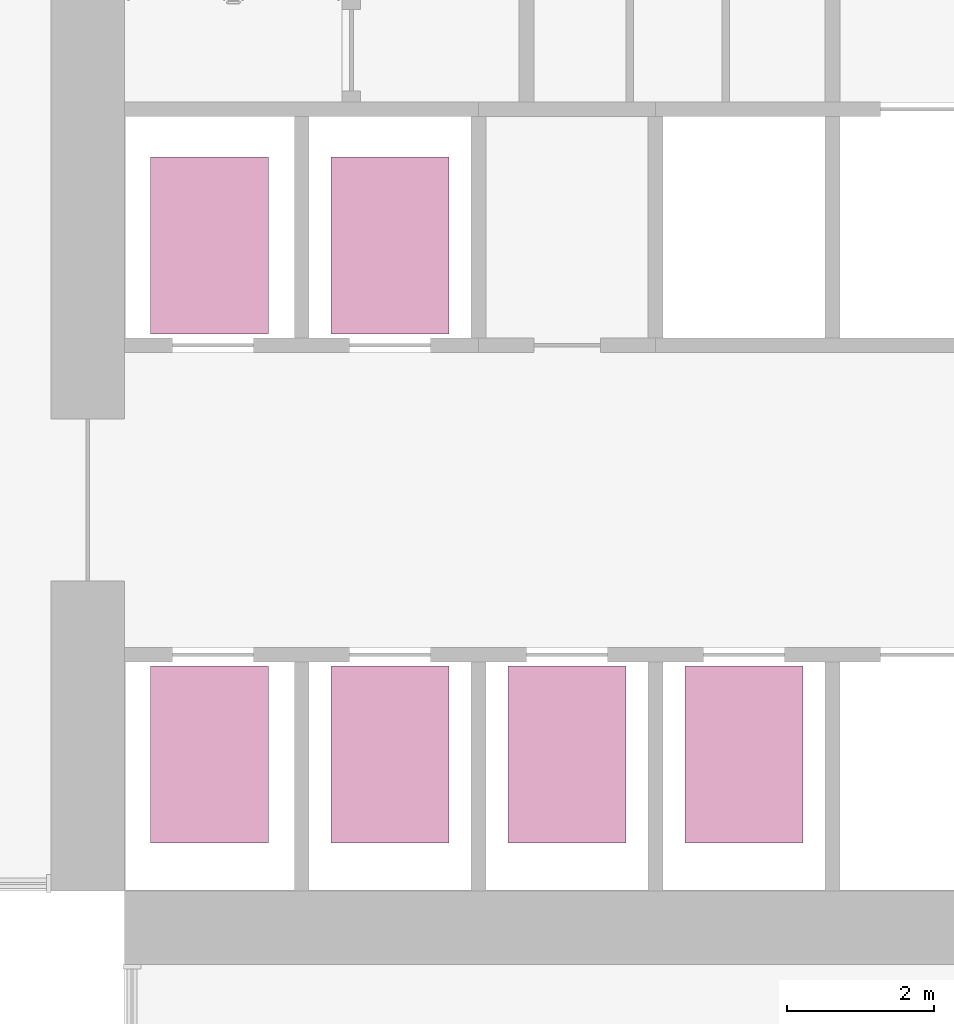
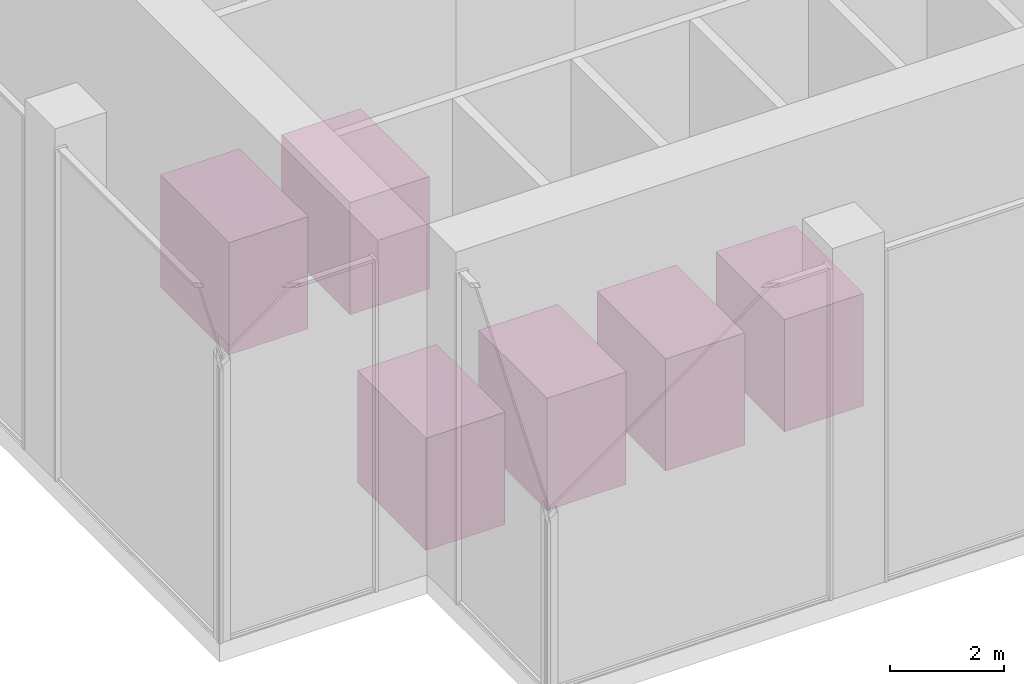
# One storey, part 18 of 18: 6 transport elements.
"""IFC4 building model written with IfcOpenShell, lengths in metres."""

from ifc_helpers import new_model, si_unit, direction, frame, origin, origin_2d, place, context, subcontext, project, spatial, rectangle, extrude, source, transform, mapped, material, type_object, element, save


model = new_model("IFC4")

# Units and contexts
model_context = context("Model", 3, precision=1e-05, world=origin(), true_north=direction((0.0, 1.0)))
body_context = subcontext(model_context, "Body", "Model", "MODEL_VIEW")
ifc_project = project(units=[si_unit("LENGTHUNIT", "METRE"), si_unit("AREAUNIT", "SQUARE_METRE"), si_unit("VOLUMEUNIT", "CUBIC_METRE"), si_unit("PLANEANGLEUNIT", "RADIAN"), si_unit("MASSUNIT", "GRAM", prefix="KILO")], contexts=[model_context])

# Site, building, storey
site_placement = place(None, origin())
site = spatial("IfcSite", under=ifc_project, at=site_placement, CompositionType="ELEMENT")
building_placement = place(site_placement, origin())
building = spatial("IfcBuilding", under=site, at=building_placement, Name="Aurelian Terraces", CompositionType="ELEMENT")
storey_placement = place(building_placement, frame((0.0, 0.0, 170.3)))
storey = spatial("IfcBuildingStorey", under=building, at=storey_placement, Name="L37", CompositionType="ELEMENT", Elevation=170.3)

# Transport elements
ifc_material = material(Name="Stainless steel panelling", Category="steel")
transport_element_type = type_object("IfcTransportElementType", Name="Lift car LM", PredefinedType="ELEVATOR", material=ifc_material)
shared_shape = source(origin(), body_context, "Body", "SweptSolid", [
    extrude(rectangle(XDim=1.6, YDim=2.4, at=origin_2d()), origin(), (0.0, 0.0, 1.0), 2.4),
])
for number, where, z_axis, x_axis, name in (
    (1, (5.35, 6.05, 0.0), (0.0, 0.0, 1.0), (1.0, 0.0, 0.0), "LM1"),
    (2, (7.8, 6.05, 0.0), (0.0, 0.0, 1.0), (1.0, 0.0, 0.0), "LM2"),
    (3, (10.2, 6.05, 0.0), (0.0, 0.0, 1.0), (1.0, 0.0, 0.0), "LM3"),
    (4, (12.6, 6.05, 0.0), (0.0, 0.0, 1.0), (1.0, 0.0, 0.0), "LM4"),
    (5, (5.35, 12.95, 0.0), (0.0, 0.0, 1.0), (1.0, 0.0, 0.0), "LM5"),
    (6, (7.8, 12.95, 0.0), (0.0, 0.0, 1.0), (1.0, 0.0, 0.0), "LM6"),
):
    element("IfcTransportElement", number, at=place(storey_placement, frame(where, z_axis=z_axis, x_axis=x_axis)), inside=storey, type_object=transport_element_type, Name=name, PredefinedType="ELEVATOR", context=body_context, shape_type="MappedRepresentation", body=[
        mapped(shared_shape, transform((0.0, 0.0, 0.0), scale=1.0)),
    ])

save(model, "model.ifc")
